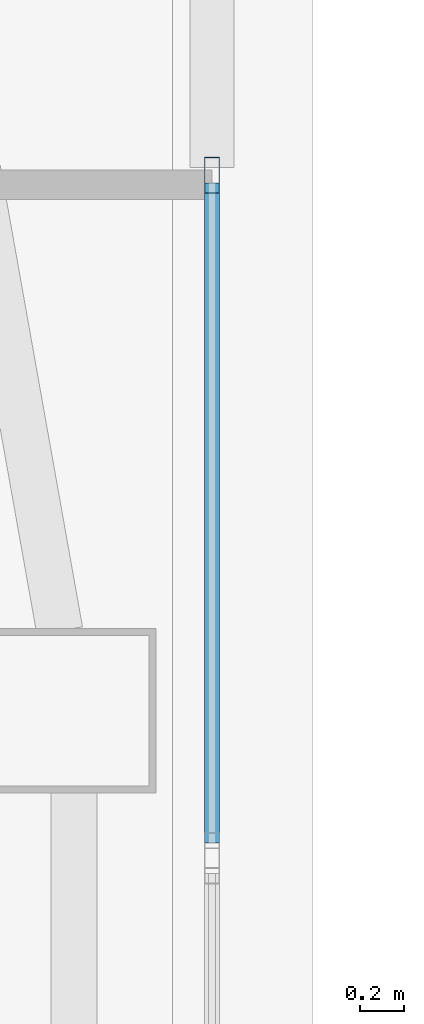
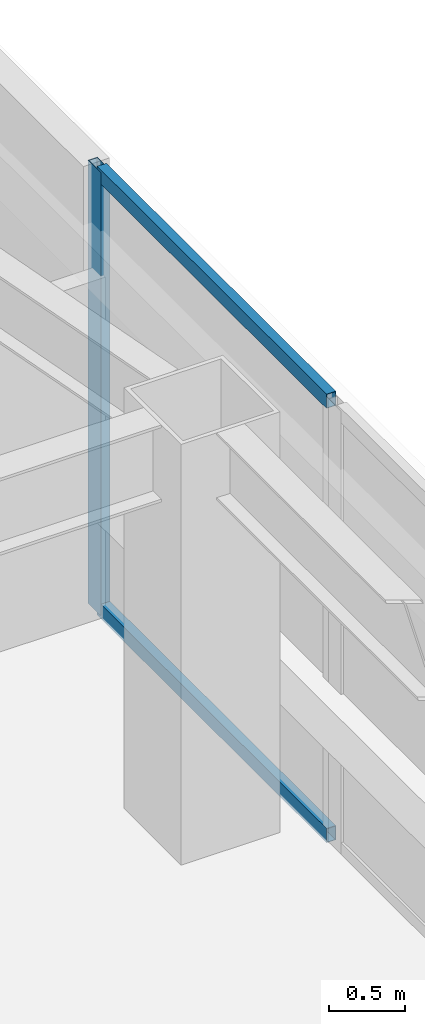
# One storey, part 12 of 40: 3 members, 1 element without a shape of its own.
"""IFC4 building model written with IfcOpenShell, lengths in metres."""

from ifc_helpers import new_model, si_unit, direction, frame, origin, origin_2d, place, context, subcontext, project, spatial, hollow_rectangle, extrude, material, material_profile, profile_set, type_object, element, aggregate, save


model = new_model("IFC4")

# Units and contexts
model_context = context("Model", 3, precision=1e-05, world=origin(), true_north=direction((0.0, 1.0)))
body_context = subcontext(model_context, "Body", "Model", "MODEL_VIEW")
ifc_project = project(units=[si_unit("LENGTHUNIT", "METRE"), si_unit("AREAUNIT", "SQUARE_METRE"), si_unit("VOLUMEUNIT", "CUBIC_METRE"), si_unit("PLANEANGLEUNIT", "RADIAN"), si_unit("MASSUNIT", "GRAM", prefix="KILO")], contexts=[model_context])

# Site, building, storey
site_placement = place(None, origin())
site = spatial("IfcSite", under=ifc_project, at=site_placement, CompositionType="ELEMENT")
building_placement = place(site_placement, origin())
building = spatial("IfcBuilding", under=site, at=building_placement, Name="Tashvorn Skyway Center", CompositionType="ELEMENT")
storey_placement = place(building_placement, frame((0.0, 0.0, 221.949951171875)))
storey = spatial("IfcBuildingStorey", under=building, at=storey_placement, Name="L60", CompositionType="ELEMENT", Elevation=221.949951171875)

# Curtain wall, members
ifc_material = material(Name="Thermally broken bronze-anodized aluminium 6063-T6", Category="aluminium")
curtain_wall_type = type_object("IfcCurtainWallType", Name="CW-CW-Z5", PredefinedType="NOTDEFINED", material=ifc_material)
curtain_wall_placement = place(storey_placement, origin())
curtain_wall = element("IfcCurtainWall", 1, at=curtain_wall_placement, inside=storey, type_object=curtain_wall_type, Name="Tower 1 L60 East Unitised Curtain Wall Glazing Group 1", PredefinedType="NOTDEFINED")
ifc_material_profile_1 = material_profile(ifc_material, hollow_rectangle(XDim=0.070068359375, YDim=0.1650390625, WallThickness=0.00390625, at=origin_2d()), Name="ALU-MULL-70x165")
ifc_profile_set_1 = profile_set([ifc_material_profile_1], Name="Thermally broken bronze-anodized aluminium 6063-T6")
member_type_1 = type_object("IfcMemberType", Name="CWM-CW-Z5", PredefinedType="MULLION", material=ifc_profile_set_1)
member_1_placement = place(storey_placement, frame((58.280029296875, 39.8427734375, 0.0), z_axis=(0.0, 0.0, 1.0), x_axis=(1.0, 0.0, 0.0)))
member_1 = element("IfcMember", 2, at=member_1_placement, type_object=member_type_1, Name="CW-Z5 mullion 1", PredefinedType="MULLION", context=body_context, shape_type="SweptSolid", body=[
    extrude(hollow_rectangle(XDim=0.070068359375, YDim=0.1650390625, WallThickness=0.00390625, at=origin_2d()), origin(), (0.0, 0.0, 1.0), 3.550048828125),
])
ifc_material_profile_2 = material_profile(ifc_material, hollow_rectangle(XDim=0.070068359375, YDim=0.114990234375, WallThickness=0.00390625, at=origin_2d()), Name="ALU-TRAN-70x115")
ifc_profile_set_2 = profile_set([ifc_material_profile_2], Name="Thermally broken bronze-anodized aluminium 6063-T6")
member_type_2 = type_object("IfcMemberType", Name="CWT-CW-Z5", PredefinedType="USERDEFINED", material=ifc_profile_set_2)
member_2_placement = place(storey_placement, frame((58.280029296875, 39.807861328125, 0.03515625), z_axis=(0.0, -1.0, 0.0), x_axis=(1.0, 0.0, 0.0)))
member_2 = element("IfcMember", 3, at=member_2_placement, type_object=member_type_2, Name="CW-Z5 transom 1.1", ObjectType="TRANSOM", PredefinedType="USERDEFINED", context=body_context, shape_type="SweptSolid", body=[
    extrude(hollow_rectangle(XDim=0.070068359375, YDim=0.114990234375, WallThickness=0.00390625, at=origin_2d()), origin(), (0.0, 0.0, 1.0), 3.01123046875),
])
member_3_placement = place(storey_placement, frame((58.280029296875, 39.807861328125, 3.51513671875), z_axis=(0.0, -1.0, 0.0), x_axis=(1.0, 0.0, 0.0)))
member_3 = element("IfcMember", 4, at=member_3_placement, type_object=member_type_2, Name="CW-Z5 transom 1.2", ObjectType="TRANSOM", PredefinedType="USERDEFINED", context=body_context, shape_type="SweptSolid", body=[
    extrude(hollow_rectangle(XDim=0.070068359375, YDim=0.114990234375, WallThickness=0.00390625, at=origin_2d()), origin(), (0.0, 0.0, 1.0), 3.01123046875),
])
aggregate(curtain_wall, [member_1, member_2, member_3])

save(model, "model.ifc")
